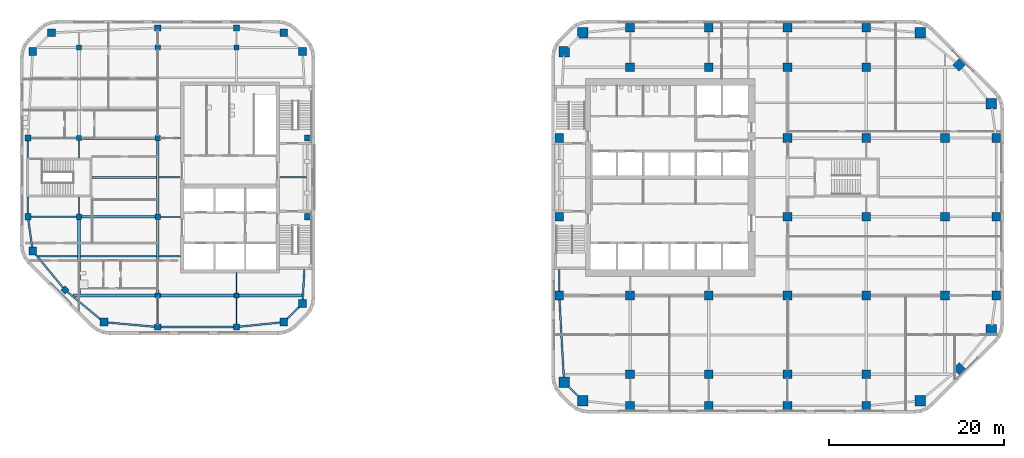
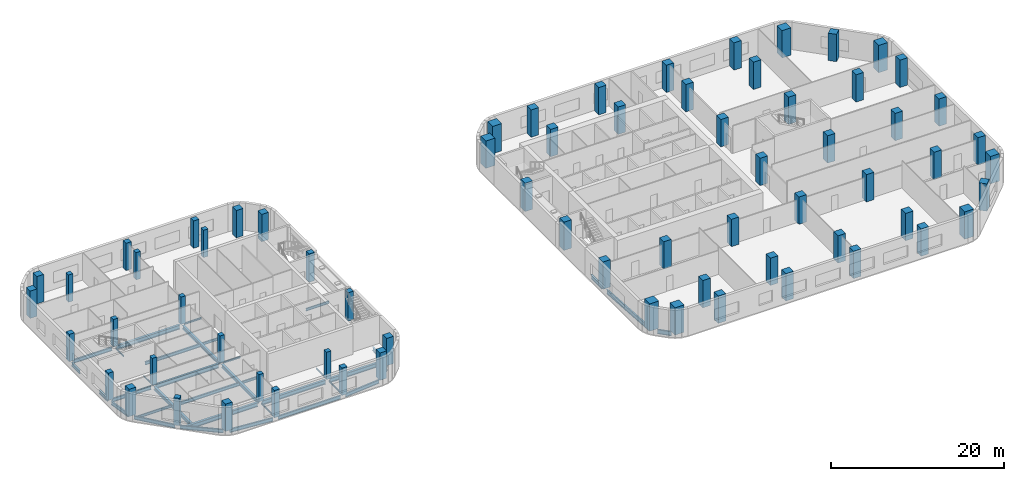
# One storey, part 1 of 14: 69 columns, 36 beams.
"""IFC4 building model written with IfcOpenShell, lengths in metres."""

from ifc_helpers import new_model, si_unit, direction, frame, origin, origin_2d, place, context, subcontext, project, spatial, rectangle, i_section, extrude, material, material_profile, profile_set, type_object, element, save


model = new_model("IFC4")

# Units and contexts
model_context = context("Model", 3, precision=1e-05, world=origin(), true_north=direction((0.0, 1.0)))
body_context = subcontext(model_context, "Body", "Model", "MODEL_VIEW")
ifc_project = project(units=[si_unit("LENGTHUNIT", "METRE"), si_unit("AREAUNIT", "SQUARE_METRE"), si_unit("VOLUMEUNIT", "CUBIC_METRE"), si_unit("PLANEANGLEUNIT", "RADIAN"), si_unit("MASSUNIT", "GRAM", prefix="KILO")], contexts=[model_context])

# Site, building, storey
site_placement = place(None, origin())
site = spatial("IfcSite", under=ifc_project, at=site_placement, CompositionType="ELEMENT")
building_placement = place(site_placement, origin())
building = spatial("IfcBuilding", under=site, at=building_placement, Name="Cinnabar Reach Civic Tower", CompositionType="ELEMENT")
storey_placement = place(building_placement, frame((0.0, 0.0, 136.0)))
storey = spatial("IfcBuildingStorey", under=building, at=storey_placement, Name="L32", CompositionType="ELEMENT", Elevation=136.0)

# Columns
ifc_material_1 = material(Name="Concrete C70", Category="concrete")
ifc_material_profile_1 = material_profile(ifc_material_1, rectangle(XDim=1.0, YDim=1.0, at=origin_2d()), Name="RC1000")
ifc_profile_set_1 = profile_set([ifc_material_profile_1], Name="Concrete C70")
column_type_1 = type_object("IfcColumnType", Name="RC1000 column R 240", PredefinedType="COLUMN", material=ifc_profile_set_1)
for number, where, z_axis, x_axis, name in (
    (1, (9.0, 5.4, 0.0), (0.0, 0.0, 1.0), (1.0, 0.0, 0.0), "Column T1-Z2-F0-1"),
    (2, (18.0, 5.4, 0.0), (0.0, 0.0, 1.0), (1.0, 0.0, 0.0), "Column T1-Z2-F0-2"),
    (3, (27.0, 5.4, 0.0), (0.0, 0.0, 1.0), (1.0, 0.0, 0.0), "Column T1-Z2-F0-3"),
    (4, (36.0, 5.4, 0.0), (0.0, 0.0, 1.0), (1.0, 0.0, 0.0), "Column T1-Z2-F0-4"),
    (5, (46.6136, 9.6364, 0.0), (0.0, 0.0, 1.0), (0.707106781187, 0.707106781187, 0.0), "Column T1-Z2-F1-M"),
    (6, (50.85, 18.0, 0.0), (0.0, 0.0, 1.0), (1.0, 0.0, 0.0), "Column T1-Z2-F2-2"),
    (7, (50.85, 27.0, 0.0), (0.0, 0.0, 1.0), (1.0, 0.0, 0.0), "Column T1-Z2-F2-3"),
    (8, (50.85, 36.0, 0.0), (0.0, 0.0, 1.0), (1.0, 0.0, 0.0), "Column T1-Z2-F2-4"),
    (9, (46.6136, 44.3636, 0.0), (0.0, 0.0, 1.0), (0.707106781187, 0.707106781187, 0.0), "Column T1-Z2-F3-M"),
    (10, (9.0, 48.6, 0.0), (0.0, 0.0, 1.0), (1.0, 0.0, 0.0), "Column T1-Z2-F4-1"),
    (11, (18.0, 48.6, 0.0), (0.0, 0.0, 1.0), (1.0, 0.0, 0.0), "Column T1-Z2-F4-2"),
    (12, (27.0, 48.6, 0.0), (0.0, 0.0, 1.0), (1.0, 0.0, 0.0), "Column T1-Z2-F4-3"),
    (13, (36.0, 48.6, 0.0), (0.0, 0.0, 1.0), (1.0, 0.0, 0.0), "Column T1-Z2-F4-4"),
    (14, (0.9, 18.0, 0.0), (0.0, 0.0, 1.0), (1.0, 0.0, 0.0), "Column T1-Z2-F6-2"),
):
    element("IfcColumn", number, at=place(storey_placement, frame(where, z_axis=z_axis, x_axis=x_axis)), inside=storey, type_object=column_type_1, Name=name, PredefinedType="COLUMN", context=body_context, shape_type="SweptSolid", body=[
        extrude(rectangle(XDim=1.0, YDim=1.0, at=origin_2d()), origin(), (0.0, 0.0, 1.0), 3.85),
    ])
for number, where, z_axis, x_axis, name in (
    (15, (0.9, 27.0, 0.0), (0.0, 0.0, 1.0), (1.0, 0.0, 0.0), "Column T1-Z2-F6-3"),
    (16, (0.9, 36.0, 0.0), (0.0, 0.0, 1.0), (1.0, 0.0, 0.0), "Column T1-Z2-F6-4"),
):
    element("IfcColumn", number, at=place(storey_placement, frame(where, z_axis=z_axis, x_axis=x_axis)), inside=storey, type_object=column_type_1, Name=name, PredefinedType="COLUMN", context=body_context, shape_type="SweptSolid", body=[
        extrude(rectangle(XDim=1.0, YDim=1.0, at=origin_2d()), origin(), (0.0, 0.0, 1.0), 4.0),
    ])
for number, where, z_axis, x_axis, name in (
    (17, (9.0, 9.0, 0.0), (0.0, 0.0, 1.0), (1.0, 0.0, 0.0), "Column T1-Z2-I9_9"),
    (18, (9.0, 18.0, 0.0), (0.0, 0.0, 1.0), (1.0, 0.0, 0.0), "Column T1-Z2-I9_18"),
    (19, (9.0, 44.1, 0.0), (0.0, 0.0, 1.0), (1.0, 0.0, 0.0), "Column T1-Z2-I9_45"),
    (20, (18.0, 9.0, 0.0), (0.0, 0.0, 1.0), (1.0, 0.0, 0.0), "Column T1-Z2-I18_9"),
    (21, (18.0, 18.0, 0.0), (0.0, 0.0, 1.0), (1.0, 0.0, 0.0), "Column T1-Z2-I18_18"),
    (22, (18.0, 44.1, 0.0), (0.0, 0.0, 1.0), (1.0, 0.0, 0.0), "Column T1-Z2-I18_45"),
    (23, (27.0, 9.0, 0.0), (0.0, 0.0, 1.0), (1.0, 0.0, 0.0), "Column T1-Z2-I27_9"),
    (24, (27.0, 18.0, 0.0), (0.0, 0.0, 1.0), (1.0, 0.0, 0.0), "Column T1-Z2-I27_18"),
    (25, (27.0, 27.0, 0.0), (0.0, 0.0, 1.0), (1.0, 0.0, 0.0), "Column T1-Z2-I27_27"),
    (26, (27.0, 36.0, 0.0), (0.0, 0.0, 1.0), (1.0, 0.0, 0.0), "Column T1-Z2-I27_36"),
    (27, (27.0, 44.1, 0.0), (0.0, 0.0, 1.0), (1.0, 0.0, 0.0), "Column T1-Z2-I27_45"),
    (28, (36.0, 9.0, 0.0), (0.0, 0.0, 1.0), (1.0, 0.0, 0.0), "Column T1-Z2-I36_9"),
    (29, (36.0, 18.0, 0.0), (0.0, 0.0, 1.0), (1.0, 0.0, 0.0), "Column T1-Z2-I36_18"),
    (30, (36.0, 27.0, 0.0), (0.0, 0.0, 1.0), (1.0, 0.0, 0.0), "Column T1-Z2-I36_27"),
    (31, (36.0, 36.0, 0.0), (0.0, 0.0, 1.0), (1.0, 0.0, 0.0), "Column T1-Z2-I36_36"),
    (32, (36.0, 44.1, 0.0), (0.0, 0.0, 1.0), (1.0, 0.0, 0.0), "Column T1-Z2-I36_45"),
    (33, (45.0, 18.0, 0.0), (0.0, 0.0, 1.0), (1.0, 0.0, 0.0), "Column T1-Z2-I45_18"),
    (34, (45.0, 27.0, 0.0), (0.0, 0.0, 1.0), (1.0, 0.0, 0.0), "Column T1-Z2-I45_27"),
    (35, (45.0, 36.0, 0.0), (0.0, 0.0, 1.0), (1.0, 0.0, 0.0), "Column T1-Z2-I45_36"),
):
    element("IfcColumn", number, at=place(storey_placement, frame(where, z_axis=z_axis, x_axis=x_axis)), inside=storey, type_object=column_type_1, Name=name, PredefinedType="COLUMN", context=body_context, shape_type="SweptSolid", body=[
        extrude(rectangle(XDim=1.0, YDim=1.0, at=origin_2d()), origin(), (0.0, 0.0, 1.0), 3.85),
    ])
ifc_material_2 = material(Name="Concrete C80", Category="concrete")
ifc_material_profile_2 = material_profile(ifc_material_2, rectangle(XDim=1.2, YDim=1.2, at=origin_2d()), Name="RC1200")
ifc_profile_set_2 = profile_set([ifc_material_profile_2], Name="Concrete C80")
column_type_2 = type_object("IfcColumnType", Name="RC1200 column R 240", PredefinedType="COLUMN", material=ifc_profile_set_2)
for number, where, z_axis, x_axis, name in (
    (36, (3.6019, 5.9531, 0.0), (0.0, 0.0, 1.0), (1.0, 0.0, 0.0), "Column T1-Z2-CC0"),
    (37, (42.1481, 5.9531, 0.0), (0.0, 0.0, 1.0), (1.0, 0.0, 0.0), "Column T1-Z2-CC1"),
    (38, (50.2969, 14.1019, 0.0), (0.0, 0.0, 1.0), (1.0, 0.0, 0.0), "Column T1-Z2-CC2"),
    (39, (50.2969, 39.8981, 0.0), (0.0, 0.0, 1.0), (1.0, 0.0, 0.0), "Column T1-Z2-CC3"),
    (40, (42.1481, 48.0469, 0.0), (0.0, 0.0, 1.0), (1.0, 0.0, 0.0), "Column T1-Z2-CC4"),
    (41, (3.6019, 48.0469, 0.0), (0.0, 0.0, 1.0), (1.0, 0.0, 0.0), "Column T1-Z2-CC5"),
    (42, (1.4531, 45.8981, 0.0), (0.0, 0.0, 1.0), (1.0, 0.0, 0.0), "Column T1-Z2-CC6"),
    (43, (1.4531, 8.1019, 0.0), (0.0, 0.0, 1.0), (1.0, 0.0, 0.0), "Column T1-Z2-CC7"),
):
    element("IfcColumn", number, at=place(storey_placement, frame(where, z_axis=z_axis, x_axis=x_axis)), inside=storey, type_object=column_type_2, Name=name, PredefinedType="COLUMN", context=body_context, shape_type="SweptSolid", body=[
        extrude(rectangle(XDim=1.2, YDim=1.2, at=origin_2d()), origin(), (0.0, 0.0, 1.0), 3.85),
    ])
ifc_material_3 = material(Name="Concrete C60", Category="concrete")
ifc_material_profile_3 = material_profile(ifc_material_3, rectangle(XDim=0.6, YDim=0.6, at=origin_2d()), Name="RC600")
ifc_profile_set_3 = profile_set([ifc_material_profile_3], Name="Concrete C60")
column_type_3 = type_object("IfcColumnType", Name="RC600 column R 180", PredefinedType="COLUMN", material=ifc_profile_set_3)
for number, where, z_axis, x_axis, name in (
    (44, (-54.0, 27.0, 0.0), (0.0, 0.0, 1.0), (1.0, 0.0, 0.0), "Column T2-Z3-I-54_27"),
    (45, (-54.0, 36.0, 0.0), (0.0, 0.0, 1.0), (1.0, 0.0, 0.0), "Column T2-Z3-I-54_36"),
    (46, (-54.0, 46.35, 0.0), (0.0, 0.0, 1.0), (1.0, 0.0, 0.0), "Column T2-Z3-I-54_45"),
    (47, (-45.0, 18.0, 0.0), (0.0, 0.0, 1.0), (1.0, 0.0, 0.0), "Column T2-Z3-I-45_18"),
    (48, (-45.0, 27.0, 0.0), (0.0, 0.0, 1.0), (1.0, 0.0, 0.0), "Column T2-Z3-I-45_27"),
    (49, (-45.0, 36.0, 0.0), (0.0, 0.0, 1.0), (1.0, 0.0, 0.0), "Column T2-Z3-I-45_36"),
    (50, (-45.0, 46.35, 0.0), (0.0, 0.0, 1.0), (1.0, 0.0, 0.0), "Column T2-Z3-I-45_45"),
    (51, (-36.0, 18.0, 0.0), (0.0, 0.0, 1.0), (1.0, 0.0, 0.0), "Column T2-Z3-I-36_18"),
    (52, (-36.0, 46.35, 0.0), (0.0, 0.0, 1.0), (1.0, 0.0, 0.0), "Column T2-Z3-I-36_45"),
):
    element("IfcColumn", number, at=place(storey_placement, frame(where, z_axis=z_axis, x_axis=x_axis)), inside=storey, type_object=column_type_3, Name=name, PredefinedType="COLUMN", context=body_context, shape_type="SweptSolid", body=[
        extrude(rectangle(XDim=0.6, YDim=0.6, at=origin_2d()), origin(), (0.0, 0.0, 1.0), 3.85),
    ])
ifc_material_profile_4 = material_profile(ifc_material_3, rectangle(XDim=0.7, YDim=0.7, at=origin_2d()), Name="RC700")
ifc_profile_set_4 = profile_set([ifc_material_profile_4], Name="Concrete C60")
column_type_4 = type_object("IfcColumnType", Name="RC700 column R 180", PredefinedType="COLUMN", material=ifc_profile_set_4)
for number, where, z_axis, x_axis, name in (
    (53, (-45.0, 14.4, 0.0), (0.0, 0.0, 1.0), (1.0, 0.0, 0.0), "Column T2-Z3-F0--5"),
    (54, (-36.0, 14.4, 0.0), (0.0, 0.0, 1.0), (1.0, 0.0, 0.0), "Column T2-Z3-F0--4"),
):
    element("IfcColumn", number, at=place(storey_placement, frame(where, z_axis=z_axis, x_axis=x_axis)), inside=storey, type_object=column_type_4, Name=name, PredefinedType="COLUMN", context=body_context, shape_type="SweptSolid", body=[
        extrude(rectangle(XDim=0.7, YDim=0.7, at=origin_2d()), origin(), (0.0, 0.0, 1.0), 3.85),
    ])
for number, where, z_axis, x_axis, name in (
    (55, (-27.9, 27.0, 0.0), (0.0, 0.0, 1.0), (1.0, 0.0, 0.0), "Column T2-Z3-F2-3"),
    (56, (-27.9, 36.0, 0.0), (0.0, 0.0, 1.0), (1.0, 0.0, 0.0), "Column T2-Z3-F2-4"),
):
    element("IfcColumn", number, at=place(storey_placement, frame(where, z_axis=z_axis, x_axis=x_axis)), inside=storey, type_object=column_type_4, Name=name, PredefinedType="COLUMN", context=body_context, shape_type="SweptSolid", body=[
        extrude(rectangle(XDim=0.7, YDim=0.7, at=origin_2d()), origin(), (0.0, 0.0, 1.0), 4.0),
    ])
for number, where, z_axis, x_axis, name in (
    (57, (-45.0, 48.6, 0.0), (0.0, 0.0, 1.0), (1.0, 0.0, 0.0), "Column T2-Z3-F4--5"),
    (58, (-36.0, 48.6, 0.0), (0.0, 0.0, 1.0), (1.0, 0.0, 0.0), "Column T2-Z3-F4--4"),
    (59, (-59.85, 27.0, 0.0), (0.0, 0.0, 1.0), (1.0, 0.0, 0.0), "Column T2-Z3-F6-3"),
    (60, (-59.85, 36.0, 0.0), (0.0, 0.0, 1.0), (1.0, 0.0, 0.0), "Column T2-Z3-F6-4"),
    (61, (-55.6136, 18.6364, 0.0), (0.0, 0.0, 1.0), (0.707106781187, 0.707106781187, 0.0), "Column T2-Z3-F7-M"),
):
    element("IfcColumn", number, at=place(storey_placement, frame(where, z_axis=z_axis, x_axis=x_axis)), inside=storey, type_object=column_type_4, Name=name, PredefinedType="COLUMN", context=body_context, shape_type="SweptSolid", body=[
        extrude(rectangle(XDim=0.7, YDim=0.7, at=origin_2d()), origin(), (0.0, 0.0, 1.0), 3.85),
    ])
ifc_material_profile_5 = material_profile(ifc_material_1, rectangle(XDim=0.9, YDim=0.9, at=origin_2d()), Name="RC900")
ifc_profile_set_5 = profile_set([ifc_material_profile_5], Name="Concrete C70")
column_type_5 = type_object("IfcColumnType", Name="RC900 column R 180", PredefinedType="COLUMN", material=ifc_profile_set_5)
for number, where, z_axis, x_axis, name in (
    (62, (-51.1481, 14.9531, 0.0), (0.0, 0.0, 1.0), (1.0, 0.0, 0.0), "Column T2-Z3-CC0"),
    (63, (-30.6019, 14.9531, 0.0), (0.0, 0.0, 1.0), (1.0, 0.0, 0.0), "Column T2-Z3-CC1"),
    (64, (-28.4531, 17.1019, 0.0), (0.0, 0.0, 1.0), (1.0, 0.0, 0.0), "Column T2-Z3-CC2"),
    (65, (-28.4531, 45.8981, 0.0), (0.0, 0.0, 1.0), (1.0, 0.0, 0.0), "Column T2-Z3-CC3"),
    (66, (-30.6019, 48.0469, 0.0), (0.0, 0.0, 1.0), (1.0, 0.0, 0.0), "Column T2-Z3-CC4"),
    (67, (-57.1481, 48.0469, 0.0), (0.0, 0.0, 1.0), (1.0, 0.0, 0.0), "Column T2-Z3-CC5"),
    (68, (-59.2969, 45.8981, 0.0), (0.0, 0.0, 1.0), (1.0, 0.0, 0.0), "Column T2-Z3-CC6"),
    (69, (-59.2969, 23.1019, 0.0), (0.0, 0.0, 1.0), (1.0, 0.0, 0.0), "Column T2-Z3-CC7"),
):
    element("IfcColumn", number, at=place(storey_placement, frame(where, z_axis=z_axis, x_axis=x_axis)), inside=storey, type_object=column_type_5, Name=name, PredefinedType="COLUMN", context=body_context, shape_type="SweptSolid", body=[
        extrude(rectangle(XDim=0.9, YDim=0.9, at=origin_2d()), origin(), (0.0, 0.0, 1.0), 3.85),
    ])

# Beams
ifc_material_4 = material(Name="Steel Q355B", Category="steel")
ifc_material_profile_6 = material_profile(ifc_material_4, i_section(OverallWidth=0.3, OverallDepth=0.488, WebThickness=0.011, FlangeThickness=0.018, FilletRadius=0.016, at=origin_2d()), Name="HM488x300x11x18")
ifc_profile_set_6 = profile_set([ifc_material_profile_6], Name="Steel Q355B")
beam_type_1 = type_object("IfcBeamType", Name="HM488x300x11x18 beam R 120", PredefinedType="BEAM", material=ifc_profile_set_6)
beam_1_placement = place(storey_placement, frame((-54.0, 18.152, -0.394), z_axis=(0.0, 1.0, 0.0), x_axis=(-1.0, 0.0, 0.0)))
element("IfcBeam", 70, at=beam_1_placement, inside=storey, type_object=beam_type_1, Name="Girder T2 L32 1", PredefinedType="BEAM", context=body_context, shape_type="SweptSolid", body=[
    extrude(i_section(OverallWidth=0.3, OverallDepth=0.488, WebThickness=0.011, FlangeThickness=0.018, FilletRadius=0.016, at=origin_2d()), origin(), (0.0, 0.0, 1.0), 8.546),
])
for number, where, z_axis, x_axis, name in (
    (71, (-45.0, 18.302, -0.394), (0.0, 1.0, 0.0), (-1.0, 0.0, 0.0), "Girder T2 L32 7"),
    (72, (-45.0, 27.302, -0.394), (0.0, 1.0, 0.0), (-1.0, 0.0, 0.0), "Girder T2 L32 8"),
):
    element("IfcBeam", number, at=place(storey_placement, frame(where, z_axis=z_axis, x_axis=x_axis)), inside=storey, type_object=beam_type_1, Name=name, PredefinedType="BEAM", context=body_context, shape_type="SweptSolid", body=[
        extrude(i_section(OverallWidth=0.3, OverallDepth=0.488, WebThickness=0.011, FlangeThickness=0.018, FilletRadius=0.016, at=origin_2d()), origin(), (0.0, 0.0, 1.0), 8.396),
    ])
ifc_material_profile_7 = material_profile(ifc_material_4, i_section(OverallWidth=0.3, OverallDepth=0.588, WebThickness=0.012, FlangeThickness=0.02, FilletRadius=0.016, at=origin_2d()), Name="HM588x300x12x20")
ifc_profile_set_7 = profile_set([ifc_material_profile_7], Name="Steel Q355B")
beam_type_2 = type_object("IfcBeamType", Name="HM588x300x12x20 beam R 120", PredefinedType="BEAM", material=ifc_profile_set_7)
beam_2_placement = place(storey_placement, frame((-54.6818, 18.0, -0.444), z_axis=(1.0, 0.0, 0.0), x_axis=(0.0, 1.0, 0.0)))
element("IfcBeam", 73, at=beam_2_placement, inside=storey, type_object=beam_type_2, Name="Girder T2 L32 1", PredefinedType="BEAM", context=body_context, shape_type="SweptSolid", body=[
    extrude(i_section(OverallWidth=0.3, OverallDepth=0.588, WebThickness=0.012, FlangeThickness=0.02, FilletRadius=0.016, at=origin_2d()), origin(), (0.0, 0.0, 1.0), 9.3798),
])
beam_3_placement = place(storey_placement, frame((-44.698, 18.0, -0.444), z_axis=(1.0, 0.0, 0.0), x_axis=(0.0, 1.0, 0.0)))
element("IfcBeam", 74, at=beam_3_placement, inside=storey, type_object=beam_type_2, Name="Girder T2 L32 2", PredefinedType="BEAM", context=body_context, shape_type="SweptSolid", body=[
    extrude(i_section(OverallWidth=0.3, OverallDepth=0.588, WebThickness=0.012, FlangeThickness=0.02, FilletRadius=0.016, at=origin_2d()), origin(), (0.0, 0.0, 1.0), 8.396),
])
beam_4_placement = place(storey_placement, frame((-35.698, 18.0, -0.444), z_axis=(1.0, 0.0, 0.0), x_axis=(0.0, 1.0, 0.0)))
element("IfcBeam", 75, at=beam_4_placement, inside=storey, type_object=beam_type_2, Name="Girder T2 L32 3", PredefinedType="BEAM", context=body_context, shape_type="SweptSolid", body=[
    extrude(i_section(OverallWidth=0.3, OverallDepth=0.588, WebThickness=0.012, FlangeThickness=0.02, FilletRadius=0.016, at=origin_2d()), origin(), (0.0, 0.0, 1.0), 7.1929),
])
for number, where, z_axis, x_axis, name in (
    (76, (-53.698, 27.0, -0.444), (1.0, 0.0, 0.0), (0.0, 1.0, 0.0), "Girder T2 L32 5"),
    (77, (-53.698, 36.0, -0.444), (1.0, 0.0, 0.0), (0.0, 1.0, 0.0), "Girder T2 L32 8"),
):
    element("IfcBeam", number, at=place(storey_placement, frame(where, z_axis=z_axis, x_axis=x_axis)), inside=storey, type_object=beam_type_2, Name=name, PredefinedType="BEAM", context=body_context, shape_type="SweptSolid", body=[
        extrude(i_section(OverallWidth=0.3, OverallDepth=0.588, WebThickness=0.012, FlangeThickness=0.02, FilletRadius=0.016, at=origin_2d()), origin(), (0.0, 0.0, 1.0), 8.396),
    ])
ifc_material_profile_8 = material_profile(ifc_material_4, i_section(OverallWidth=0.099, OverallDepth=0.198, WebThickness=0.0045, FlangeThickness=0.007, FilletRadius=0.013, at=origin_2d()), Name="HN200x100x5.5x8")
ifc_profile_set_8 = profile_set([ifc_material_profile_8], Name="Steel Q355B")
beam_type_3 = type_object("IfcBeamType", Name="HN200x100x5.5x8 beam R 120", PredefinedType="BEAM", material=ifc_profile_set_8)
for number, where, z_axis, x_axis, name in (
    (78, (-54.0, 27.302, -0.249), (0.0, 1.0, 0.0), (-1.0, 0.0, 0.0), "Girder T2 L32 2"),
    (79, (-54.0, 33.752, -0.249), (0.0, 1.0, 0.0), (-1.0, 0.0, 0.0), "Girder T2 L32 3"),
):
    element("IfcBeam", number, at=place(storey_placement, frame(where, z_axis=z_axis, x_axis=x_axis)), inside=storey, type_object=beam_type_3, Name=name, PredefinedType="BEAM", context=body_context, shape_type="SweptSolid", body=[
        extrude(i_section(OverallWidth=0.099, OverallDepth=0.198, WebThickness=0.0045, FlangeThickness=0.007, FilletRadius=0.013, at=origin_2d()), origin(), (0.0, 0.0, 1.0), 1.946),
    ])
for number, where, z_axis, x_axis, name in (
    (80, (-45.0, 14.752, -0.249), (0.0, 1.0, 0.0), (-1.0, 0.0, 0.0), "Girder T2 L32 6"),
    (81, (-36.0, 14.752, -0.249), (0.0, 1.0, 0.0), (-1.0, 0.0, 0.0), "Girder T2 L32 11"),
):
    element("IfcBeam", number, at=place(storey_placement, frame(where, z_axis=z_axis, x_axis=x_axis)), inside=storey, type_object=beam_type_3, Name=name, PredefinedType="BEAM", context=body_context, shape_type="SweptSolid", body=[
        extrude(i_section(OverallWidth=0.099, OverallDepth=0.198, WebThickness=0.0045, FlangeThickness=0.007, FilletRadius=0.013, at=origin_2d()), origin(), (0.0, 0.0, 1.0), 2.946),
    ])
beam_5_placement = place(storey_placement, frame((-36.0, 18.302, -0.249), z_axis=(0.0, 1.0, 0.0), x_axis=(-1.0, 0.0, 0.0)))
element("IfcBeam", 82, at=beam_5_placement, inside=storey, type_object=beam_type_3, Name="Girder T2 L32 12", PredefinedType="BEAM", context=body_context, shape_type="SweptSolid", body=[
    extrude(i_section(OverallWidth=0.099, OverallDepth=0.198, WebThickness=0.0045, FlangeThickness=0.007, FilletRadius=0.013, at=origin_2d()), origin(), (0.0, 0.0, 1.0), 2.296),
])
ifc_material_profile_9 = material_profile(ifc_material_4, i_section(OverallWidth=0.124, OverallDepth=0.248, WebThickness=0.005, FlangeThickness=0.008, FilletRadius=0.013, at=origin_2d()), Name="HN250x125x6x9")
ifc_profile_set_9 = profile_set([ifc_material_profile_9], Name="Steel Q355B")
beam_type_4 = type_object("IfcBeamType", Name="HN250x125x6x9 beam R 120", PredefinedType="BEAM", material=ifc_profile_set_9)
for number, where, z_axis, x_axis, name in (
    (83, (-44.698, 27.0, -0.274), (1.0, 0.0, 0.0), (0.0, 1.0, 0.0), "Girder T2 L32 6"),
    (84, (-44.698, 36.0, -0.274), (1.0, 0.0, 0.0), (0.0, 1.0, 0.0), "Girder T2 L32 9"),
):
    element("IfcBeam", number, at=place(storey_placement, frame(where, z_axis=z_axis, x_axis=x_axis)), inside=storey, type_object=beam_type_4, Name=name, PredefinedType="BEAM", context=body_context, shape_type="SweptSolid", body=[
        extrude(i_section(OverallWidth=0.124, OverallDepth=0.248, WebThickness=0.005, FlangeThickness=0.008, FilletRadius=0.013, at=origin_2d()), origin(), (0.0, 0.0, 1.0), 2.296),
    ])
ifc_material_profile_10 = material_profile(ifc_material_4, i_section(OverallWidth=0.175, OverallDepth=0.35, WebThickness=0.007, FlangeThickness=0.011, FilletRadius=0.013, at=origin_2d()), Name="HN350x175x7x11")
ifc_profile_set_10 = profile_set([ifc_material_profile_10], Name="Steel Q355B")
beam_type_5 = type_object("IfcBeamType", Name="HN350x175x7x11 beam R 120", PredefinedType="BEAM", material=ifc_profile_set_10)
beam_6_placement = place(storey_placement, frame((-58.6682, 22.5, -0.325), z_axis=(1.0, 0.0, 0.0), x_axis=(0.0, 1.0, 0.0)))
element("IfcBeam", 85, at=beam_6_placement, inside=storey, type_object=beam_type_5, Name="Secondary beam T2 L32 1", PredefinedType="BEAM", context=body_context, shape_type="SweptSolid", body=[
    extrude(i_section(OverallWidth=0.175, OverallDepth=0.35, WebThickness=0.007, FlangeThickness=0.011, FilletRadius=0.013, at=origin_2d()), origin(), (0.0, 0.0, 1.0), 4.5162),
])
for number, where, z_axis, x_axis, name in (
    (86, (-44.848, 22.5, -0.325), (1.0, 0.0, 0.0), (0.0, 1.0, 0.0), "Secondary beam T2 L32 3"),
    (87, (-44.848, 31.5, -0.325), (1.0, 0.0, 0.0), (0.0, 1.0, 0.0), "Secondary beam T2 L32 5"),
):
    element("IfcBeam", number, at=place(storey_placement, frame(where, z_axis=z_axis, x_axis=x_axis)), inside=storey, type_object=beam_type_5, Name=name, PredefinedType="BEAM", context=body_context, shape_type="SweptSolid", body=[
        extrude(i_section(OverallWidth=0.175, OverallDepth=0.35, WebThickness=0.007, FlangeThickness=0.011, FilletRadius=0.013, at=origin_2d()), origin(), (0.0, 0.0, 1.0), 2.446),
    ])
beam_7_placement = place(storey_placement, frame((-31.098, 31.5, -0.325), z_axis=(1.0, 0.0, 0.0), x_axis=(0.0, 1.0, 0.0)))
element("IfcBeam", 88, at=beam_7_placement, inside=storey, type_object=beam_type_5, Name="Secondary beam T2 L32 6", PredefinedType="BEAM", context=body_context, shape_type="SweptSolid", body=[
    extrude(i_section(OverallWidth=0.175, OverallDepth=0.35, WebThickness=0.007, FlangeThickness=0.011, FilletRadius=0.013, at=origin_2d()), origin(), (0.0, 0.0, 1.0), 3.096),
])
ifc_material_profile_11 = material_profile(ifc_material_4, i_section(OverallWidth=0.2, OverallDepth=0.45, WebThickness=0.009, FlangeThickness=0.014, FilletRadius=0.016, at=origin_2d()), Name="HN450x200x9x14")
ifc_profile_set_11 = profile_set([ifc_material_profile_11], Name="Steel Q355B")
beam_type_6 = type_object("IfcBeamType", Name="HN450x200x9x14 beam R 120", PredefinedType="BEAM", material=ifc_profile_set_11)
beam_8_placement = place(storey_placement, frame((-53.848, 22.5, -0.375), z_axis=(1.0, 0.0, 0.0), x_axis=(0.0, 1.0, 0.0)))
element("IfcBeam", 89, at=beam_8_placement, inside=storey, type_object=beam_type_6, Name="Secondary beam T2 L32 2", PredefinedType="BEAM", context=body_context, shape_type="SweptSolid", body=[
    extrude(i_section(OverallWidth=0.2, OverallDepth=0.45, WebThickness=0.009, FlangeThickness=0.014, FilletRadius=0.016, at=origin_2d()), origin(), (0.0, 0.0, 1.0), 8.696),
])
beam_9_placement = place(storey_placement, frame((-52.498, 31.5, -0.375), z_axis=(1.0, 0.0, 0.0), x_axis=(0.0, 1.0, 0.0)))
element("IfcBeam", 90, at=beam_9_placement, inside=storey, type_object=beam_type_6, Name="Secondary beam T2 L32 4", PredefinedType="BEAM", context=body_context, shape_type="SweptSolid", body=[
    extrude(i_section(OverallWidth=0.2, OverallDepth=0.45, WebThickness=0.009, FlangeThickness=0.014, FilletRadius=0.016, at=origin_2d()), origin(), (0.0, 0.0, 1.0), 7.346),
])
ifc_material_profile_12 = material_profile(ifc_material_4, i_section(OverallWidth=0.2, OverallDepth=0.5, WebThickness=0.01, FlangeThickness=0.016, FilletRadius=0.016, at=origin_2d()), Name="HN500x200x10x16")
ifc_profile_set_12 = profile_set([ifc_material_profile_12], Name="Steel Q355B")
beam_type_7 = type_object("IfcBeamType", Name="HN500x200x10x16 beam R 120", PredefinedType="BEAM", material=ifc_profile_set_12)
beam_10_placement = place(storey_placement, frame((-50.8161, 14.9232, -0.4), z_axis=(0.99597881512, -0.089589060894, 0.0), x_axis=(0.089589060894, 0.99597881512, 0.0)))
element("IfcBeam", 91, at=beam_10_placement, inside=storey, type_object=beam_type_7, Name="Edge beam T2 L32 1", PredefinedType="BEAM", context=body_context, shape_type="SweptSolid", body=[
    extrude(i_section(OverallWidth=0.2, OverallDepth=0.5, WebThickness=0.01, FlangeThickness=0.016, FilletRadius=0.016, at=origin_2d()), origin(), (0.0, 0.0, 1.0), 5.4862),
])
beam_11_placement = place(storey_placement, frame((-44.648, 14.4, -0.4), z_axis=(1.0, 0.0, 0.0), x_axis=(0.0, 1.0, 0.0)))
element("IfcBeam", 92, at=beam_11_placement, inside=storey, type_object=beam_type_7, Name="Edge beam T2 L32 2", PredefinedType="BEAM", context=body_context, shape_type="SweptSolid", body=[
    extrude(i_section(OverallWidth=0.2, OverallDepth=0.5, WebThickness=0.01, FlangeThickness=0.016, FilletRadius=0.016, at=origin_2d()), origin(), (0.0, 0.0, 1.0), 8.296),
])
beam_12_placement = place(storey_placement, frame((-35.648, 14.4361, -0.4), z_axis=(0.994792087401, 0.101924986363, 0.0), x_axis=(-0.101924986363, 0.994792087401, 0.0)))
element("IfcBeam", 93, at=beam_12_placement, inside=storey, type_object=beam_type_7, Name="Edge beam T2 L32 3", PredefinedType="BEAM", context=body_context, shape_type="SweptSolid", body=[
    extrude(i_section(OverallWidth=0.2, OverallDepth=0.5, WebThickness=0.01, FlangeThickness=0.016, FilletRadius=0.016, at=origin_2d()), origin(), (0.0, 0.0, 1.0), 4.7388),
])
beam_13_placement = place(storey_placement, frame((-30.2699, 15.2851, -0.4), z_axis=(0.707106781187, 0.707106781187, 0.0), x_axis=(-0.707106781187, 0.707106781187, 0.0)))
element("IfcBeam", 94, at=beam_13_placement, inside=storey, type_object=beam_type_7, Name="Edge beam T2 L32 4", PredefinedType="BEAM", context=body_context, shape_type="SweptSolid", body=[
    extrude(i_section(OverallWidth=0.2, OverallDepth=0.5, WebThickness=0.01, FlangeThickness=0.016, FilletRadius=0.016, at=origin_2d()), origin(), (0.0, 0.0, 1.0), 2.0998),
])
beam_14_placement = place(storey_placement, frame((-28.4345, 17.4339, -0.4), z_axis=(0.055775670196, 0.99844332569, 0.0), x_axis=(-0.99844332569, 0.055775670196, 0.0)))
element("IfcBeam", 95, at=beam_14_placement, inside=storey, type_object=beam_type_7, Name="Edge beam T2 L32 5", PredefinedType="BEAM", context=body_context, shape_type="SweptSolid", body=[
    extrude(i_section(OverallWidth=0.2, OverallDepth=0.5, WebThickness=0.01, FlangeThickness=0.016, FilletRadius=0.016, at=origin_2d()), origin(), (0.0, 0.0, 1.0), 3.5697),
])
for number, where, z_axis, x_axis, name in (
    (96, (-59.85, 35.648, -0.4), (0.0, -1.0, 0.0), (1.0, 0.0, 0.0), "Edge beam T2 L32 14"),
    (97, (-59.85, 29.248, -0.4), (0.0, -1.0, 0.0), (1.0, 0.0, 0.0), "Edge beam T2 L32 15"),
):
    element("IfcBeam", number, at=place(storey_placement, frame(where, z_axis=z_axis, x_axis=x_axis)), inside=storey, type_object=beam_type_7, Name=name, PredefinedType="BEAM", context=body_context, shape_type="SweptSolid", body=[
        extrude(i_section(OverallWidth=0.2, OverallDepth=0.5, WebThickness=0.01, FlangeThickness=0.016, FilletRadius=0.016, at=origin_2d()), origin(), (0.0, 0.0, 1.0), 1.896),
    ])
beam_15_placement = place(storey_placement, frame((-59.8001, 26.648, -0.4), z_axis=(0.140498398047, -0.990080905859, 0.0), x_axis=(0.990080905859, 0.140498398047, 0.0)))
element("IfcBeam", 98, at=beam_15_placement, inside=storey, type_object=beam_type_7, Name="Edge beam T2 L32 16", PredefinedType="BEAM", context=body_context, shape_type="SweptSolid", body=[
    extrude(i_section(OverallWidth=0.2, OverallDepth=0.5, WebThickness=0.01, FlangeThickness=0.016, FilletRadius=0.016, at=origin_2d()), origin(), (0.0, 0.0, 1.0), 3.2463),
])
for number, where, z_axis, x_axis, name in (
    (99, (-59.0231, 22.7699, -0.4), (0.636307764727, -0.771435304189, 0.0), (0.771435304189, 0.636307764727, 0.0), "Edge beam T2 L32 17"),
    (100, (-55.3873, 18.4497, -0.4), (0.771435304189, -0.636307764727, 0.0), (0.636307764727, 0.771435304189, 0.0), "Edge beam T2 L32 18"),
):
    element("IfcBeam", number, at=place(storey_placement, frame(where, z_axis=z_axis, x_axis=x_axis)), inside=storey, type_object=beam_type_7, Name=name, PredefinedType="BEAM", context=body_context, shape_type="SweptSolid", body=[
        extrude(i_section(OverallWidth=0.2, OverallDepth=0.5, WebThickness=0.01, FlangeThickness=0.016, FilletRadius=0.016, at=origin_2d()), origin(), (0.0, 0.0, 1.0), 5.0648),
    ])
for number, where, z_axis, x_axis, name in (
    (101, (-59.498, 27.0, -0.4), (1.0, 0.0, 0.0), (0.0, 1.0, 0.0), "Girder T2 L32 4"),
    (102, (-59.498, 36.0, -0.4), (1.0, 0.0, 0.0), (0.0, 1.0, 0.0), "Girder T2 L32 7"),
):
    element("IfcBeam", number, at=place(storey_placement, frame(where, z_axis=z_axis, x_axis=x_axis)), inside=storey, type_object=beam_type_7, Name=name, PredefinedType="BEAM", context=body_context, shape_type="SweptSolid", body=[
        extrude(i_section(OverallWidth=0.2, OverallDepth=0.5, WebThickness=0.01, FlangeThickness=0.016, FilletRadius=0.016, at=origin_2d()), origin(), (0.0, 0.0, 1.0), 5.196),
    ])
ifc_material_profile_13 = material_profile(ifc_material_4, i_section(OverallWidth=0.2, OverallDepth=0.6, WebThickness=0.011, FlangeThickness=0.017, FilletRadius=0.016, at=origin_2d()), Name="HN600x200x11x17")
ifc_profile_set_13 = profile_set([ifc_material_profile_13], Name="Steel Q355B")
beam_type_8 = type_object("IfcBeamType", Name="HN600x200x11x17 beam R 180", PredefinedType="BEAM", material=ifc_profile_set_13)
beam_16_placement = place(storey_placement, frame((0.9, 20.998, -0.45), z_axis=(0.0, -1.0, 0.0), x_axis=(1.0, 0.0, 0.0)))
element("IfcBeam", 103, at=beam_16_placement, inside=storey, type_object=beam_type_8, Name="Edge beam T1 L32 22", PredefinedType="BEAM", context=body_context, shape_type="SweptSolid", body=[
    extrude(i_section(OverallWidth=0.2, OverallDepth=0.6, WebThickness=0.011, FlangeThickness=0.017, FilletRadius=0.016, at=origin_2d()), origin(), (0.0, 0.0, 1.0), 2.496),
])
beam_17_placement = place(storey_placement, frame((0.9281, 17.498, -0.45), z_axis=(0.055790736166, -0.998442483951, 0.0), x_axis=(0.998442483951, 0.055790736166, 0.0)))
element("IfcBeam", 104, at=beam_17_placement, inside=storey, type_object=beam_type_8, Name="Edge beam T1 L32 23", PredefinedType="BEAM", context=body_context, shape_type="SweptSolid", body=[
    extrude(i_section(OverallWidth=0.2, OverallDepth=0.6, WebThickness=0.011, FlangeThickness=0.017, FilletRadius=0.016, at=origin_2d()), origin(), (0.0, 0.0, 1.0), 8.928),
])
beam_18_placement = place(storey_placement, frame((1.9351, 7.6199, -0.45), z_axis=(0.707106781187, -0.707106781187, 0.0), x_axis=(0.707106781187, 0.707106781187, 0.0)))
element("IfcBeam", 105, at=beam_18_placement, inside=storey, type_object=beam_type_8, Name="Edge beam T1 L32 24", PredefinedType="BEAM", context=body_context, shape_type="SweptSolid", body=[
    extrude(i_section(OverallWidth=0.2, OverallDepth=0.6, WebThickness=0.011, FlangeThickness=0.017, FilletRadius=0.016, at=origin_2d()), origin(), (0.0, 0.0, 1.0), 1.6756),
])

save(model, "model.ifc")
